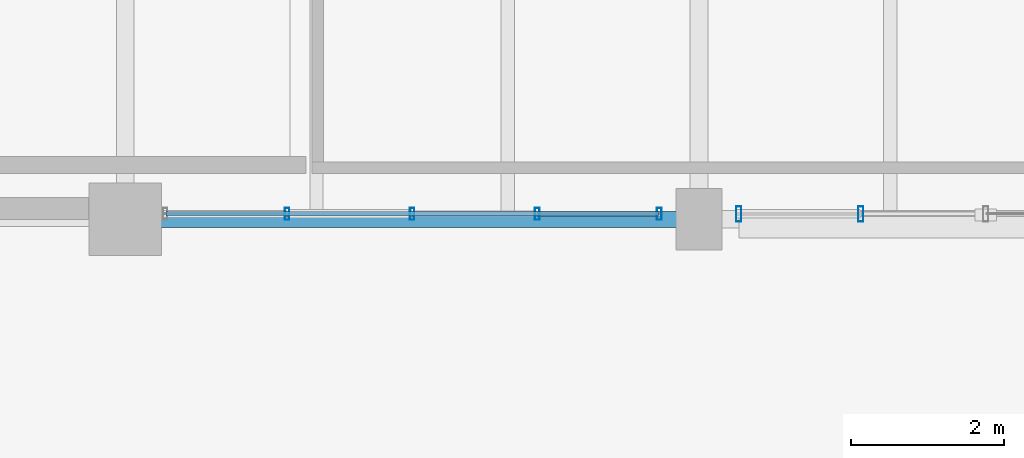
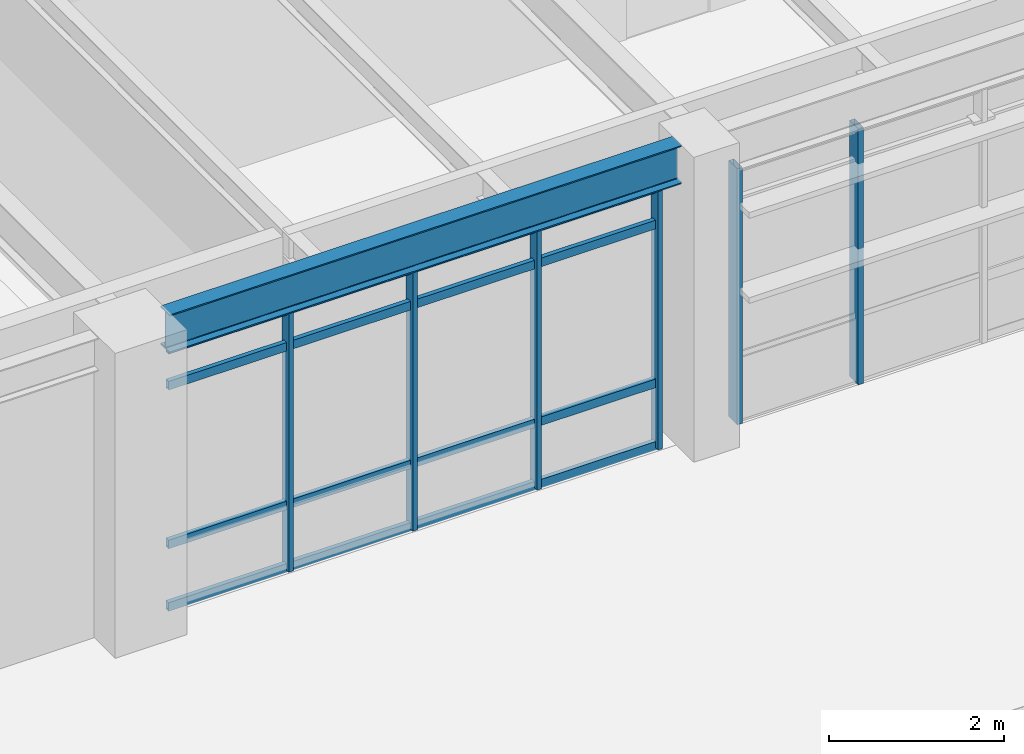
# One storey, part 70 of 168: 10 members, 1 beam, 2 elements without a shape of their own.
"""IFC4 building model written with IfcOpenShell, lengths in metres."""

from ifc_helpers import new_model, si_unit, direction, frame, origin, origin_2d, place, context, subcontext, project, spatial, hollow_rectangle, i_section, extrude, material, material_profile, profile_set, type_object, element, aggregate, save


model = new_model("IFC4")

# Units and contexts
model_context = context("Model", 3, precision=1e-05, world=origin(), true_north=direction((0.0, 1.0)))
body_context = subcontext(model_context, "Body", "Model", "MODEL_VIEW")
ifc_project = project(units=[si_unit("LENGTHUNIT", "METRE"), si_unit("AREAUNIT", "SQUARE_METRE"), si_unit("VOLUMEUNIT", "CUBIC_METRE"), si_unit("PLANEANGLEUNIT", "RADIAN"), si_unit("MASSUNIT", "GRAM", prefix="KILO"), si_unit("THERMODYNAMICTEMPERATUREUNIT", "KELVIN"), si_unit("POWERUNIT", "WATT")], contexts=[model_context])

# Site, building, storey
site_placement = place(None, origin())
site = spatial("IfcSite", under=ifc_project, at=site_placement, CompositionType="ELEMENT")
building_placement = place(site_placement, origin())
building = spatial("IfcBuilding", under=site, at=building_placement, Name="Tepalcoro Natatorium and Aquatics Centre", CompositionType="ELEMENT")
storey_placement = place(building_placement, frame((0.0, 0.0, 10.199951171875)))
storey = spatial("IfcBuildingStorey", under=building, at=storey_placement, Name="L02", CompositionType="ELEMENT", Elevation=10.199951171875)

# Curtain wall, members
ifc_material_1 = material(Name="Bronze-Anodised Extruded Aluminium Alloy EN AW-6063 T6", Category="aluminium")
curtain_wall_type_1 = type_object("IfcCurtainWallType", Name="CW_V3_FOYER", PredefinedType="USERDEFINED", material=ifc_material_1)
curtain_wall_1_placement = place(storey_placement, origin())
curtain_wall_1 = element("IfcCurtainWall", 1, at=curtain_wall_1_placement, inside=storey, type_object=curtain_wall_type_1, Name="V4 L02 S Unitised Curtain Wall Bay 2", ObjectType="UNITISED STOREFRONT", PredefinedType="USERDEFINED")
ifc_material_profile_1 = material_profile(ifc_material_1, hollow_rectangle(XDim=0.06005859375, YDim=0.159912109375, WallThickness=0.00390625, at=origin_2d()), Name="AL60X160X4")
ifc_profile_set_1 = profile_set([ifc_material_profile_1], Name="Bronze-Anodised Extruded Aluminium Alloy EN AW-6063 T6")
member_type_1 = type_object("IfcMemberType", Name="CW_MUL_60x160", PredefinedType="MULLION", material=ifc_profile_set_1)
member_1_placement = place(storey_placement, frame((23.114990234375, 94.0712890625, 0.02001953125), z_axis=(0.0, 0.0, 1.0), x_axis=(1.0, 0.0, 0.0)))
member_1 = element("IfcMember", 2, at=member_1_placement, type_object=member_type_1, Name="CW_V3_FOYER Curtain Wall Mullion", PredefinedType="MULLION", context=body_context, shape_type="SweptSolid", body=[
    extrude(hollow_rectangle(XDim=0.06005859375, YDim=0.159912109375, WallThickness=0.00390625, at=origin_2d()), origin(), (0.0, 0.0, 1.0), 3.64404296875),
])
member_2_placement = place(storey_placement, frame((24.75, 94.0712890625, 0.02001953125), z_axis=(0.0, 0.0, 1.0), x_axis=(1.0, 0.0, 0.0)))
member_2 = element("IfcMember", 3, at=member_2_placement, type_object=member_type_1, Name="CW_V3_FOYER Curtain Wall Mullion", PredefinedType="MULLION", context=body_context, shape_type="SweptSolid", body=[
    extrude(hollow_rectangle(XDim=0.06005859375, YDim=0.159912109375, WallThickness=0.00390625, at=origin_2d()), origin(), (0.0, 0.0, 1.0), 3.64404296875),
])
member_3_placement = place(storey_placement, frame((26.385009765625, 94.0712890625, 0.02001953125), z_axis=(0.0, 0.0, 1.0), x_axis=(1.0, 0.0, 0.0)))
member_3 = element("IfcMember", 4, at=member_3_placement, type_object=member_type_1, Name="CW_V3_FOYER Curtain Wall Mullion", PredefinedType="MULLION", context=body_context, shape_type="SweptSolid", body=[
    extrude(hollow_rectangle(XDim=0.06005859375, YDim=0.159912109375, WallThickness=0.00390625, at=origin_2d()), origin(), (0.0, 0.0, 1.0), 3.64404296875),
])
member_4_placement = place(storey_placement, frame((27.97998046875, 94.0712890625, 0.02001953125), z_axis=(0.0, 0.0, 1.0), x_axis=(1.0, 0.0, 0.0)))
member_4 = element("IfcMember", 5, at=member_4_placement, type_object=member_type_1, Name="CW_V3_FOYER Curtain Wall Mullion", PredefinedType="MULLION", context=body_context, shape_type="SweptSolid", body=[
    extrude(hollow_rectangle(XDim=0.06005859375, YDim=0.159912109375, WallThickness=0.00390625, at=origin_2d()), origin(), (0.0, 0.0, 1.0), 3.64404296875),
])

curtain_wall_type_2 = type_object("IfcCurtainWallType", Name="CW_V4_VILLAGE", PredefinedType="USERDEFINED", material=ifc_material_1)
curtain_wall_2_placement = place(storey_placement, origin())
curtain_wall_2 = element("IfcCurtainWall", 6, at=curtain_wall_2_placement, inside=storey, type_object=curtain_wall_type_2, Name="V4 L02 S Unitised Curtain Wall Bay 3", ObjectType="UNITISED STOREFRONT", PredefinedType="USERDEFINED")
ifc_material_profile_2 = material_profile(ifc_material_1, hollow_rectangle(XDim=0.070068359375, YDim=0.199951171875, WallThickness=0.0048828125, at=origin_2d()), Name="AL70X200X5")
ifc_profile_set_2 = profile_set([ifc_material_profile_2], Name="Bronze-Anodised Extruded Aluminium Alloy EN AW-6063 T6")
member_type_2 = type_object("IfcMemberType", Name="CW_MUL_70x200", PredefinedType="MULLION", material=ifc_profile_set_2)
member_5_placement = place(storey_placement, frame((29.02001953125, 94.0712890625, 0.02001953125), z_axis=(0.0, 0.0, 1.0), x_axis=(1.0, 0.0, 0.0)))
member_5 = element("IfcMember", 7, at=member_5_placement, type_object=member_type_2, Name="CW_V4_VILLAGE Curtain Wall Mullion", PredefinedType="MULLION", context=body_context, shape_type="SweptSolid", body=[
    extrude(hollow_rectangle(XDim=0.070068359375, YDim=0.199951171875, WallThickness=0.0048828125, at=origin_2d()), origin(), (0.0, 0.0, 1.0), 3.568115234375),
])
member_6_placement = place(storey_placement, frame((30.614990234375, 94.0712890625, 0.02001953125), z_axis=(0.0, 0.0, 1.0), x_axis=(1.0, 0.0, 0.0)))
member_6 = element("IfcMember", 8, at=member_6_placement, type_object=member_type_2, Name="CW_V4_VILLAGE Curtain Wall Mullion", PredefinedType="MULLION", context=body_context, shape_type="SweptSolid", body=[
    extrude(hollow_rectangle(XDim=0.070068359375, YDim=0.199951171875, WallThickness=0.0048828125, at=origin_2d()), origin(), (0.0, 0.0, 1.0), 3.568115234375),
])
aggregate(curtain_wall_2, [member_5, member_6])

# Member
ifc_material_profile_3 = material_profile(ifc_material_1, hollow_rectangle(XDim=0.06005859375, YDim=0.1201171875, WallThickness=0.00390625, at=origin_2d()), Name="AL60X120X4")
ifc_profile_set_3 = profile_set([ifc_material_profile_3], Name="Bronze-Anodised Extruded Aluminium Alloy EN AW-6063 T6")
member_type_3 = type_object("IfcMemberType", Name="CW_TRN_60x120", PredefinedType="USERDEFINED", material=ifc_profile_set_3)
member_7_placement = place(storey_placement, frame((21.530029296875, 94.0712890625, 0.050048828125), z_axis=(1.0, 0.0, 0.0), x_axis=(0.0, 1.0, 0.0)))
member_7 = element("IfcMember", 9, at=member_7_placement, type_object=member_type_3, Name="CW_V3_FOYER Curtain Wall Transom", ObjectType="TRANSOM", PredefinedType="USERDEFINED", context=body_context, shape_type="SweptSolid", body=[
    extrude(hollow_rectangle(XDim=0.06005859375, YDim=0.1201171875, WallThickness=0.00390625, at=origin_2d()), origin(), (0.0, 0.0, 1.0), 6.43994140625),
])

member_8_placement = place(storey_placement, frame((21.530029296875, 94.0712890625, 0.921142578125), z_axis=(1.0, 0.0, 0.0), x_axis=(0.0, 1.0, 0.0)))
member_8 = element("IfcMember", 10, at=member_8_placement, type_object=member_type_3, Name="CW_V3_FOYER Curtain Wall Transom", ObjectType="TRANSOM", PredefinedType="USERDEFINED", context=body_context, shape_type="SweptSolid", body=[
    extrude(hollow_rectangle(XDim=0.06005859375, YDim=0.1201171875, WallThickness=0.00390625, at=origin_2d()), origin(), (0.0, 0.0, 1.0), 6.43994140625),
])

member_9_placement = place(storey_placement, frame((21.530029296875, 94.0712890625, 3.134033203125), z_axis=(1.0, 0.0, 0.0), x_axis=(0.0, 1.0, 0.0)))
member_9 = element("IfcMember", 11, at=member_9_placement, type_object=member_type_3, Name="CW_V3_FOYER Curtain Wall Transom", ObjectType="TRANSOM", PredefinedType="USERDEFINED", context=body_context, shape_type="SweptSolid", body=[
    extrude(hollow_rectangle(XDim=0.06005859375, YDim=0.1201171875, WallThickness=0.00390625, at=origin_2d()), origin(), (0.0, 0.0, 1.0), 6.43994140625),
])

member_10_placement = place(storey_placement, frame((21.530029296875, 94.0712890625, 3.634033203125), z_axis=(1.0, 0.0, 0.0), x_axis=(0.0, 1.0, 0.0)))
member_10 = element("IfcMember", 12, at=member_10_placement, type_object=member_type_3, Name="CW_V3_FOYER Curtain Wall Transom", ObjectType="TRANSOM", PredefinedType="USERDEFINED", context=body_context, shape_type="SweptSolid", body=[
    extrude(hollow_rectangle(XDim=0.06005859375, YDim=0.1201171875, WallThickness=0.00390625, at=origin_2d()), origin(), (0.0, 0.0, 1.0), 6.43994140625),
])

aggregate(curtain_wall_1, [member_1, member_2, member_3, member_4, member_7, member_8, member_9, member_10])

# Beam
ifc_material_2 = material(Name="Steel ASTM A992 Grade 50 (Fy 345 MPa)", Category="steel")
ifc_material_profile_4 = material_profile(ifc_material_2, i_section(OverallWidth=0.2099609375, OverallDepth=0.535888671875, WebThickness=0.010986328125, FlangeThickness=0.01708984375, FilletRadius=0.013916015625, at=origin_2d()), Name="W21X68")
ifc_profile_set_4 = profile_set([ifc_material_profile_4], Name="Steel ASTM A992 Grade 50 (Fy 345 MPa)")
beam_type = type_object("IfcBeamType", Name="SP_W21x68", PredefinedType="SPANDREL", material=ifc_profile_set_4)
beam_placement = place(storey_placement, frame((21.4599609375, 94.0, 3.967041015625), z_axis=(1.0, 0.0, 0.0), x_axis=(0.0, 1.0, 0.0)))
element("IfcBeam", 13, at=beam_placement, inside=storey, type_object=beam_type, Name="V4 L02 Grid Girder X", PredefinedType="SPANDREL", context=body_context, shape_type="SweptSolid", body=[
    extrude(i_section(OverallWidth=0.2099609375, OverallDepth=0.535888671875, WebThickness=0.010986328125, FlangeThickness=0.01708984375, FilletRadius=0.013916015625, at=origin_2d()), origin(), (0.0, 0.0, 1.0), 6.755126953125),
])

save(model, "model.ifc")
